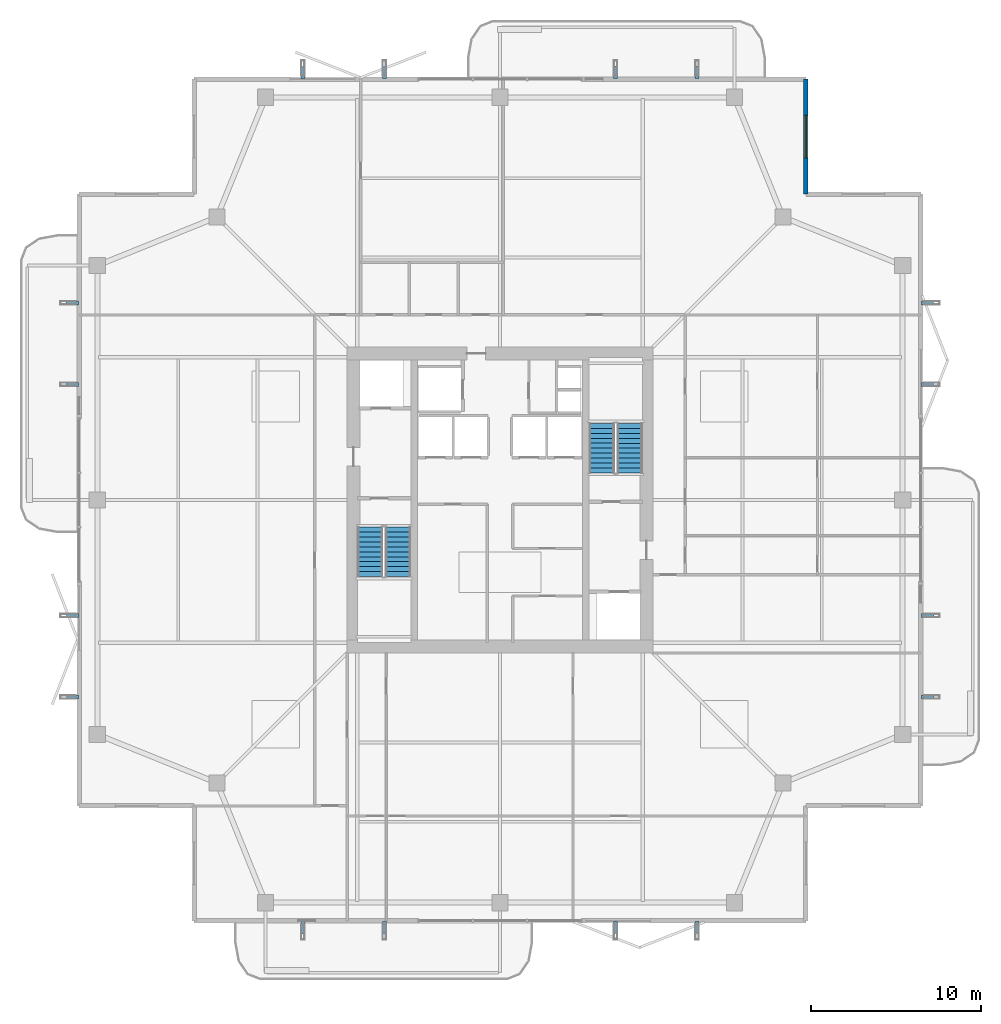
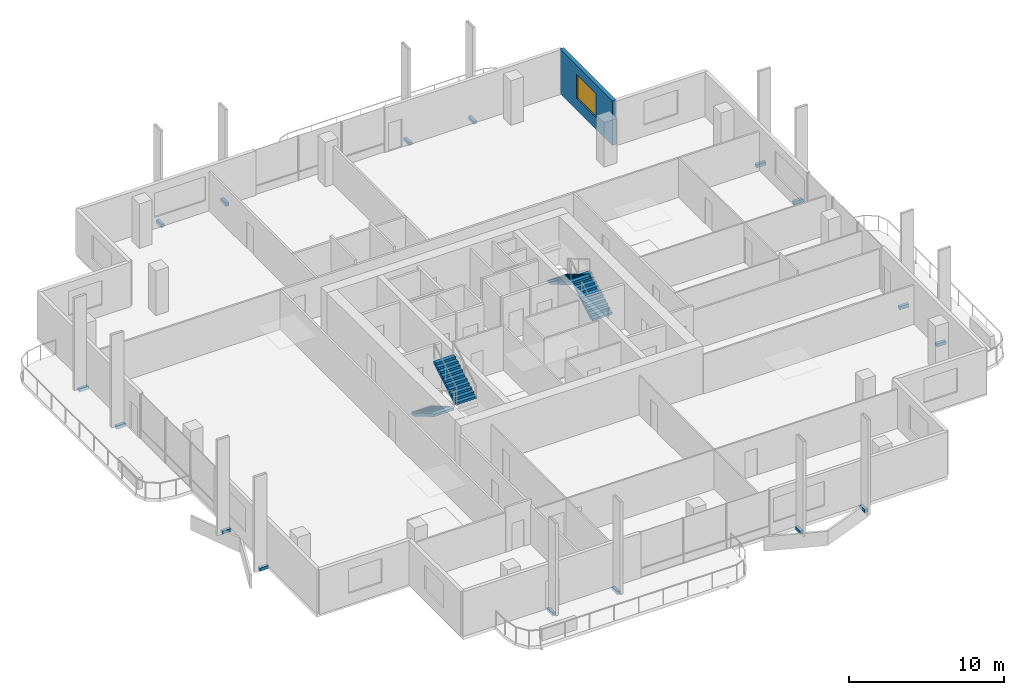
# One storey, part 21 of 25: 16 discrete accessories, 4 stair flights, 1 wall, 1 window, 1 opening, 2 elements without a shape of their own.
"""IFC4 building model written with IfcOpenShell, lengths in metres."""

from ifc_helpers import new_model, si_unit, direction, frame, frame_2d, origin, origin_2d, place, context, subcontext, project, spatial, polyline, rectangle, outline, extrude, material, layer, layer_set, type_object, element, fill, aggregate, save


model = new_model("IFC4")

# Units and contexts
model_context = context("Model", 3, precision=1e-05, world=origin(), true_north=direction((0.0, 1.0)))
body_context = subcontext(model_context, "Body", "Model", "MODEL_VIEW")
ifc_project = project(units=[si_unit("LENGTHUNIT", "METRE"), si_unit("AREAUNIT", "SQUARE_METRE"), si_unit("VOLUMEUNIT", "CUBIC_METRE"), si_unit("PLANEANGLEUNIT", "RADIAN"), si_unit("MASSUNIT", "GRAM", prefix="KILO")], contexts=[model_context])

# Site, building, storey
site_placement = place(None, origin())
site = spatial("IfcSite", under=ifc_project, at=site_placement, CompositionType="ELEMENT")
building_placement = place(site_placement, origin())
building = spatial("IfcBuilding", under=site, at=building_placement, Name="Belovzor Exchange Tower", CompositionType="ELEMENT")
storey_placement = place(building_placement, frame((0.0, 0.0, 265.35009765625)))
storey = spatial("IfcBuildingStorey", under=building, at=storey_placement, Name="L66", CompositionType="ELEMENT", Elevation=265.35009765625)

# Wall, opening, window
ifc_material_1 = material(Name="Precast concrete C40/50", Category="concrete")
ifc_layer_1 = layer(ifc_material_1, 0.280029296875)
ifc_layer_set_1 = layer_set([ifc_layer_1], Name="Precast concrete C40/50")
wall_type = type_object("IfcWallType", Name="Precast Concrete Notched Corner Frame Wall 280", PredefinedType="SOLIDWALL", material=ifc_layer_set_1)
wall_placement = place(storey_placement, frame((46.800048828125, 53.570068359375, 0.0), z_axis=(0.0, 0.0, 1.0), x_axis=(0.0, -1.0, 0.0)))
wall = element("IfcWall", 1, at=wall_placement, inside=storey, type_object=wall_type, Name="W-CRN280 Precast Concrete Notched Corner Frame Wall 280 L66", PredefinedType="SOLIDWALL", context=body_context, shape_type="SweptSolid", body=[
    extrude(rectangle(XDim=6.77001953125, YDim=0.280029296875, at=frame_2d((3.385009765625, 0.0))), origin(), (0.0, 0.0, 1.0), 3.5),
])
opening_placement = place(wall_placement, frame((2.135009765625, 0.0, 0.89990234375)))
opening = element("IfcOpeningElement", 2, at=opening_placement, cuts=wall, Name="Opening WN-CRN250", PredefinedType="OPENING", context=body_context, shape_type="SweptSolid", body=[
    extrude(rectangle(XDim=2.5, YDim=1.89990234375, at=frame_2d((1.25, 0.949951171875))), frame((0.0, 0.14990234375, 0.0), z_axis=(0.0, -1.0, 0.0), x_axis=(1.0, 0.0, 0.0)), (0.0, 0.0, 1.0), 0.300048828125),
])
ifc_material_2 = material(Name="Thermally Broken Aluminium and Triple Glazing", Category="aluminium")
window_type = type_object("IfcWindowType", Name="Streamline Moderne Corner Wrap Ribbon Window 2500x1900", PartitioningType="SINGLE_PANEL", PredefinedType="WINDOW", material=ifc_material_2)
window_placement = place(opening_placement, origin())
window = element("IfcWindow", 3, at=window_placement, inside=storey, type_object=window_type, Name="WN-CRN250 Streamline Moderne Corner Wrap Ribbon Window 2500x1900", OverallHeight=1.89990234375, OverallWidth=2.5, PartitioningType="SINGLE_PANEL", PredefinedType="WINDOW", context=body_context, shape_type="SweptSolid", body=[
    extrude(rectangle(XDim=2.5, YDim=1.89990234375, at=frame_2d((1.25, 0.949951171875))), frame((0.0, 0.030029296875, 0.0), z_axis=(0.0, -1.0, 0.0), x_axis=(1.0, 0.0, 0.0)), (0.0, 0.0, 1.0), 0.06005859375),
])
fill(opening, window)

# Stair, stair flights
ifc_material_3 = material(Name="Concrete C40/50", Category="concrete")
stair_type = type_object("IfcStairType", Name="Reinforced Concrete Dogleg Escape Stair 1350", PredefinedType="HALF_TURN_STAIR", material=ifc_material_3)
stair_1_placement = place(storey_placement, origin())
stair_1 = element("IfcStair", 4, at=stair_1_placement, inside=storey, type_object=stair_type, Name="L66 ST-1", PredefinedType="HALF_TURN_STAIR")
ifc_material_4 = material(Name="Concrete C40/50", Category="concrete")
stair_flight_type = type_object("IfcStairFlightType", Name="Reinforced Concrete Stair Flight 1350", PredefinedType="STRAIGHT", material=ifc_material_4)
stair_flight_1_placement = place(storey_placement, frame((21.14990234375, 27.199951171875, 0.0), z_axis=(0.0, 0.0, 1.0), x_axis=(0.0, -1.0, 0.0)))
stair_flight_1 = element("IfcStairFlight", 5, at=stair_flight_1_placement, type_object=stair_flight_type, Name="ST-1 flight 1", NumberOfRisers=11, NumberOfTreads=10, PredefinedType="STRAIGHT", RiserHeight=0.170454545, TreadLength=0.29, context=body_context, shape_type="SweptSolid", body=[
    extrude(outline(polyline([(0.0, 0.0), (0.0, 0.17041015625), (0.2900390625, 0.17041015625), (0.2900390625, 0.3408203125), (0.580078125, 0.3408203125), (0.580078125, 0.511474609375), (0.8701171875, 0.511474609375), (0.8701171875, 0.681884765625), (1.159912109375, 0.681884765625), (1.159912109375, 0.852294921875), (1.449951171875, 0.852294921875), (1.449951171875, 1.022705078125), (1.739990234375, 1.022705078125), (1.739990234375, 1.193115234375), (2.030029296875, 1.193115234375), (2.030029296875, 1.363525390625), (2.320068359375, 1.363525390625), (2.320068359375, 1.5341796875), (2.610107421875, 1.5341796875), (2.610107421875, 1.70458984375), (2.89990234375, 1.70458984375), (2.89990234375, 1.875), (2.89990234375, 1.53076171875), (0.2958984375, 0.0), (0.0, 0.0)])), frame((0.0, 0.75, 0.0), z_axis=(0.0, -1.0, 0.0), x_axis=(1.0, 0.0, 0.0)), (0.0, 0.0, 1.0), 1.5),
])
stair_flight_2_placement = place(storey_placement, frame((22.800048828125, 24.300048828125, 1.875), z_axis=(0.0, 0.0, 1.0), x_axis=(0.0, 1.0, 0.0)))
stair_flight_2 = element("IfcStairFlight", 6, at=stair_flight_2_placement, type_object=stair_flight_type, Name="ST-1 flight 2", NumberOfRisers=11, NumberOfTreads=10, PredefinedType="STRAIGHT", RiserHeight=0.170454545, TreadLength=0.29, context=body_context, shape_type="SweptSolid", body=[
    extrude(outline(polyline([(0.0, 0.0), (0.0, 0.17041015625), (0.2900390625, 0.17041015625), (0.2900390625, 0.3408203125), (0.580078125, 0.3408203125), (0.580078125, 0.511474609375), (0.8701171875, 0.511474609375), (0.8701171875, 0.681884765625), (1.159912109375, 0.681884765625), (1.159912109375, 0.852294921875), (1.449951171875, 0.852294921875), (1.449951171875, 1.022705078125), (1.739990234375, 1.022705078125), (1.739990234375, 1.193115234375), (2.030029296875, 1.193115234375), (2.030029296875, 1.363525390625), (2.320068359375, 1.363525390625), (2.320068359375, 1.5341796875), (2.610107421875, 1.5341796875), (2.610107421875, 1.70458984375), (2.89990234375, 1.70458984375), (2.89990234375, 1.875), (2.89990234375, 1.53076171875), (0.2958984375, 0.0), (0.0, 0.0)])), frame((0.0, 0.75, 0.0), z_axis=(0.0, -1.0, 0.0), x_axis=(1.0, 0.0, 0.0)), (0.0, 0.0, 1.0), 1.5),
])
aggregate(stair_1, [stair_flight_1, stair_flight_2])

stair_2_placement = place(storey_placement, origin())
stair_2 = element("IfcStair", 7, at=stair_2_placement, inside=storey, type_object=stair_type, Name="L66 ST-2", PredefinedType="HALF_TURN_STAIR")
stair_flight_3_placement = place(storey_placement, frame((36.449951171875, 30.39990234375, 0.0), z_axis=(0.0, 0.0, 1.0), x_axis=(0.0, 1.0, 0.0)))
stair_flight_3 = element("IfcStairFlight", 8, at=stair_flight_3_placement, type_object=stair_flight_type, Name="ST-2 flight 1", NumberOfRisers=11, NumberOfTreads=10, PredefinedType="STRAIGHT", RiserHeight=0.170454545, TreadLength=0.29, context=body_context, shape_type="SweptSolid", body=[
    extrude(outline(polyline([(0.0, 0.0), (0.0, 0.17041015625), (0.2900390625, 0.17041015625), (0.2900390625, 0.3408203125), (0.580078125, 0.3408203125), (0.580078125, 0.511474609375), (0.8701171875, 0.511474609375), (0.8701171875, 0.681884765625), (1.159912109375, 0.681884765625), (1.159912109375, 0.852294921875), (1.449951171875, 0.852294921875), (1.449951171875, 1.022705078125), (1.739990234375, 1.022705078125), (1.739990234375, 1.193115234375), (2.030029296875, 1.193115234375), (2.030029296875, 1.363525390625), (2.320068359375, 1.363525390625), (2.320068359375, 1.5341796875), (2.610107421875, 1.5341796875), (2.610107421875, 1.70458984375), (2.89990234375, 1.70458984375), (2.89990234375, 1.875), (2.89990234375, 1.53076171875), (0.2958984375, 0.0), (0.0, 0.0)])), frame((0.0, 0.75, 0.0), z_axis=(0.0, -1.0, 0.0), x_axis=(1.0, 0.0, 0.0)), (0.0, 0.0, 1.0), 1.5),
])
stair_flight_4_placement = place(storey_placement, frame((34.800048828125, 33.300048828125, 1.875), z_axis=(0.0, 0.0, 1.0), x_axis=(0.0, -1.0, 0.0)))
stair_flight_4 = element("IfcStairFlight", 9, at=stair_flight_4_placement, type_object=stair_flight_type, Name="ST-2 flight 2", NumberOfRisers=11, NumberOfTreads=10, PredefinedType="STRAIGHT", RiserHeight=0.170454545, TreadLength=0.29, context=body_context, shape_type="SweptSolid", body=[
    extrude(outline(polyline([(0.0, 0.0), (0.0, 0.17041015625), (0.2900390625, 0.17041015625), (0.2900390625, 0.3408203125), (0.580078125, 0.3408203125), (0.580078125, 0.511474609375), (0.8701171875, 0.511474609375), (0.8701171875, 0.681884765625), (1.159912109375, 0.681884765625), (1.159912109375, 0.852294921875), (1.449951171875, 0.852294921875), (1.449951171875, 1.022705078125), (1.739990234375, 1.022705078125), (1.739990234375, 1.193115234375), (2.030029296875, 1.193115234375), (2.030029296875, 1.363525390625), (2.320068359375, 1.363525390625), (2.320068359375, 1.5341796875), (2.610107421875, 1.5341796875), (2.610107421875, 1.70458984375), (2.89990234375, 1.70458984375), (2.89990234375, 1.875), (2.89990234375, 1.53076171875), (0.2958984375, 0.0), (0.0, 0.0)])), frame((0.0, 0.75, 0.0), z_axis=(0.0, -1.0, 0.0), x_axis=(1.0, 0.0, 0.0)), (0.0, 0.0, 1.0), 1.5),
])
aggregate(stair_2, [stair_flight_3, stair_flight_4])

# Discrete accessories
ifc_material_5 = material(Name="Stainless Steel Grade 316", Category="steel")
ifc_layer_2 = layer(ifc_material_5, 0.179931640625)
ifc_layer_set_2 = layer_set([ifc_layer_2], Name="Stainless Steel Grade 316")
discrete_accessory_type = type_object("IfcDiscreteAccessoryType", Name="Stainless Steel Facade Outrigger Fixing Bracket", PredefinedType="BRACKET", material=ifc_layer_set_2)
for number, where, z_axis, x_axis, name in (
    (10, (17.199951171875, 3.637939453125, -0.2451171875), (0.0, 0.0, 1.0), (0.0, 1.0, 0.0), "BRK-FIN1 Sweeping Fin Outrigger Bracket L66 S1"),
    (11, (17.199951171875, 53.9619140625, -0.2451171875), (0.0, 0.0, 1.0), (0.0, 1.0, 0.0), "BRK-FIN1 Sweeping Fin Outrigger Bracket L66 N1"),
    (12, (3.637939453125, 17.199951171875, -0.2451171875), (0.0, 0.0, 1.0), (1.0, 0.0, 0.0), "BRK-FIN1 Sweeping Fin Outrigger Bracket L66 W1"),
    (13, (53.9619140625, 17.199951171875, -0.2451171875), (0.0, 0.0, 1.0), (1.0, 0.0, 0.0), "BRK-FIN1 Sweeping Fin Outrigger Bracket L66 E1"),
    (14, (22.0, 3.637939453125, -0.2451171875), (0.0, 0.0, 1.0), (0.0, 1.0, 0.0), "BRK-FIN1 Sweeping Fin Outrigger Bracket L66 S2"),
    (15, (22.0, 53.9619140625, -0.2451171875), (0.0, 0.0, 1.0), (0.0, 1.0, 0.0), "BRK-FIN1 Sweeping Fin Outrigger Bracket L66 N2"),
    (16, (3.637939453125, 22.0, -0.2451171875), (0.0, 0.0, 1.0), (1.0, 0.0, 0.0), "BRK-FIN1 Sweeping Fin Outrigger Bracket L66 W2"),
    (17, (53.9619140625, 22.0, -0.2451171875), (0.0, 0.0, 1.0), (1.0, 0.0, 0.0), "BRK-FIN1 Sweeping Fin Outrigger Bracket L66 E2"),
    (18, (35.60009765625, 3.637939453125, -0.2451171875), (0.0, 0.0, 1.0), (0.0, 1.0, 0.0), "BRK-FIN1 Sweeping Fin Outrigger Bracket L66 S3"),
    (19, (35.60009765625, 53.9619140625, -0.2451171875), (0.0, 0.0, 1.0), (0.0, 1.0, 0.0), "BRK-FIN1 Sweeping Fin Outrigger Bracket L66 N3"),
    (20, (3.637939453125, 35.60009765625, -0.2451171875), (0.0, 0.0, 1.0), (1.0, 0.0, 0.0), "BRK-FIN1 Sweeping Fin Outrigger Bracket L66 W3"),
    (21, (53.9619140625, 35.60009765625, -0.2451171875), (0.0, 0.0, 1.0), (1.0, 0.0, 0.0), "BRK-FIN1 Sweeping Fin Outrigger Bracket L66 E3"),
    (22, (40.39990234375, 3.637939453125, -0.2451171875), (0.0, 0.0, 1.0), (0.0, 1.0, 0.0), "BRK-FIN1 Sweeping Fin Outrigger Bracket L66 S4"),
    (23, (40.39990234375, 53.9619140625, -0.2451171875), (0.0, 0.0, 1.0), (0.0, 1.0, 0.0), "BRK-FIN1 Sweeping Fin Outrigger Bracket L66 N4"),
    (24, (3.637939453125, 40.39990234375, -0.2451171875), (0.0, 0.0, 1.0), (1.0, 0.0, 0.0), "BRK-FIN1 Sweeping Fin Outrigger Bracket L66 W4"),
    (25, (53.9619140625, 40.39990234375, -0.2451171875), (0.0, 0.0, 1.0), (1.0, 0.0, 0.0), "BRK-FIN1 Sweeping Fin Outrigger Bracket L66 E4"),
):
    element("IfcDiscreteAccessory", number, at=place(storey_placement, frame(where, z_axis=z_axis, x_axis=x_axis)), inside=storey, type_object=discrete_accessory_type, Name=name, PredefinedType="BRACKET", context=body_context, shape_type="SweptSolid", body=[
        extrude(rectangle(XDim=0.68505859375, YDim=0.239990234375, at=origin_2d()), origin(), (0.0, 0.0, 1.0), 0.239990234375),
    ])

save(model, "model.ifc")
